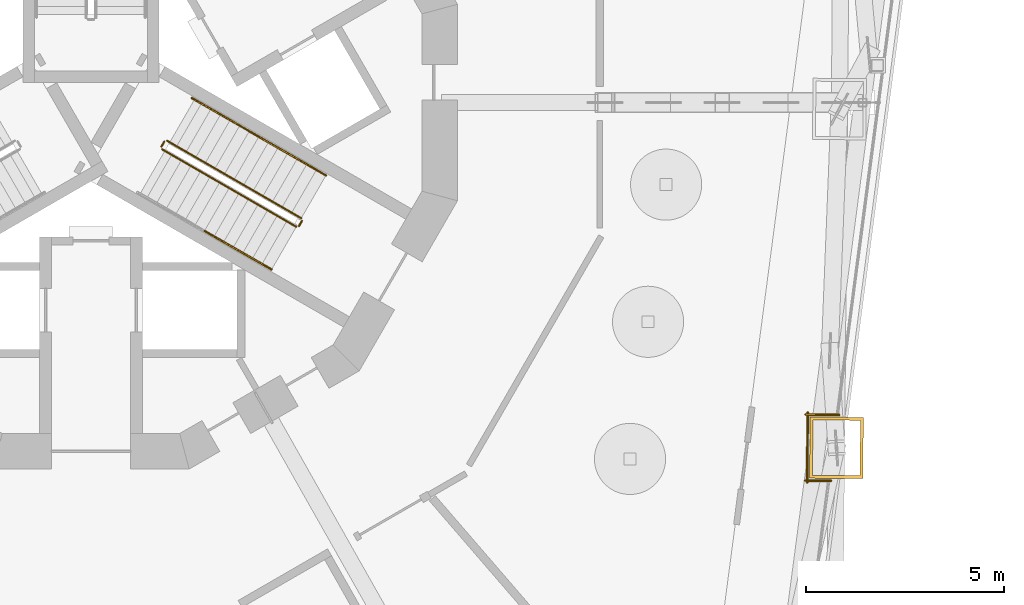
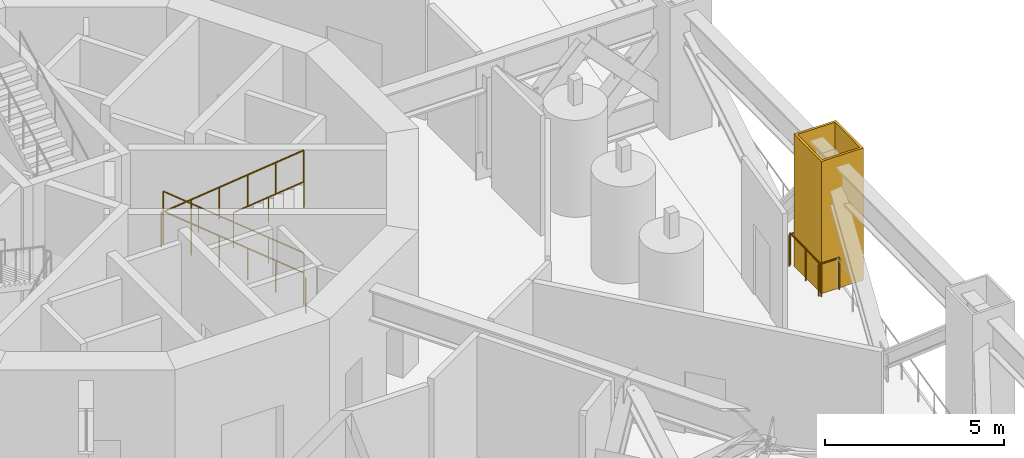
# One storey, part 19 of 23: 10 railings, 1 covering.
"""IFC4 building model written with IfcOpenShell, lengths in metres."""

from ifc_helpers import new_model, si_unit, direction, frame, origin, origin_2d, place, context, subcontext, project, spatial, polyline, circle, outline, extrude, material, layer, layer_set, type_object, element, save


model = new_model("IFC4")

# Units and contexts
model_context = context("Model", 3, precision=1e-05, world=origin(), true_north=direction((0.0, 1.0)))
body_context = subcontext(model_context, "Body", "Model", "MODEL_VIEW")
ifc_project = project(units=[si_unit("LENGTHUNIT", "METRE"), si_unit("AREAUNIT", "SQUARE_METRE"), si_unit("VOLUMEUNIT", "CUBIC_METRE"), si_unit("PLANEANGLEUNIT", "RADIAN"), si_unit("MASSUNIT", "GRAM", prefix="KILO")], contexts=[model_context])

# Site, building, storey
site_placement = place(None, origin())
site = spatial("IfcSite", under=ifc_project, at=site_placement, CompositionType="ELEMENT")
building_placement = place(site_placement, origin())
building = spatial("IfcBuilding", under=site, at=building_placement, Name="Trine Commons Tower", CompositionType="ELEMENT")
storey_placement = place(building_placement, frame((0.0, 0.0, 156.60009765625)))
storey = spatial("IfcBuildingStorey", under=building, at=storey_placement, Name="L40", CompositionType="ELEMENT", Elevation=156.60009765625)

# Covering
ifc_material_1 = material(Name="Limestone, honed", Category="masonry")
ifc_layer = layer(ifc_material_1, 0.074951171875)
ifc_layer_set = layer_set([ifc_layer], Name="Limestone, honed")
covering_type = type_object("IfcCoveringType", Name="Limestone column cladding 75", PredefinedType="CLADDING", material=ifc_layer_set)
covering_placement = place(storey_placement, origin())
element("IfcCovering", 1, at=covering_placement, inside=storey, type_object=covering_type, Name="Limestone pier cladding 5-19", PredefinedType="CLADDING", context=body_context, shape_type="SweptSolid", body=[
    extrude(outline(polyline([(99.543701171875, 54.53369140625), (98.19384765625, 54.54541015625), (98.180419921875, 52.995361328125), (99.5302734375, 52.983642578125), (99.543701171875, 54.53369140625)]), holes=[polyline([(99.468017578125, 54.459228515625), (98.26806640625, 54.4697265625), (98.255859375, 53.06982421875), (99.455810546875, 53.059326171875), (99.468017578125, 54.459228515625)])]), origin(), (0.0, 0.0, 1.0), 4.5),
])

# Railings
ifc_material_2 = material(Name="Stainless steel rail and posts", Category="steel")
railing_type_1 = type_object("IfcRailingType", Name="Slot edge guard 1100", PredefinedType="GUARDRAIL", material=ifc_material_2)
railing_1_placement = place(storey_placement, frame((98.9287109375, 54.598876953125, 0.0)))
element("IfcRailing", 2, at=railing_1_placement, inside=storey, type_object=railing_type_1, Name="Guard L40-45", PredefinedType="GUARDRAIL", context=body_context, shape_type="SweptSolid", body=[
    extrude(circle(Radius=0.02392578125, at=origin_2d()), frame((0.0, 0.0, 1.076171875), z_axis=(-0.999962456572, 0.008665185932, 0.0), x_axis=(-0.008665185932, -0.999962456572, 0.0)), (0.0, 0.0, 1.0), 0.84521484375),
    extrude(circle(Radius=0.02099609375, at=origin_2d()), origin(), (0.0, 0.0, 1.0), 1.052001953125),
    extrude(circle(Radius=0.02099609375, at=origin_2d()), frame((-0.84521484375, 0.00732421875, 0.0)), (0.0, 0.0, 1.0), 1.052001953125),
])
railing_2_placement = place(storey_placement, frame((98.134765625, 54.65625, 0.0)))
element("IfcRailing", 3, at=railing_2_placement, inside=storey, type_object=railing_type_1, Name="Guard L40-46", PredefinedType="GUARDRAIL", context=body_context, shape_type="SweptSolid", body=[
    extrude(circle(Radius=0.02392578125, at=origin_2d()), frame((0.0, 0.0, 1.076171875), z_axis=(-0.008683339055, -0.999962299101, 0.0), x_axis=(0.999962299101, -0.008683339055, 0.0)), (0.0, 0.0, 1.0), 1.771240234375),
    extrude(circle(Radius=0.02099609375, at=origin_2d()), origin(), (0.0, 0.0, 1.0), 1.052001953125),
    extrude(circle(Radius=0.02099609375, at=origin_2d()), frame((-0.0078125, -0.8857421875, 0.0)), (0.0, 0.0, 1.0), 1.052001953125),
    extrude(circle(Radius=0.02099609375, at=origin_2d()), frame((-0.015380859375, -1.771240234375, 0.0)), (0.0, 0.0, 1.0), 1.052001953125),
])
railing_3_placement = place(storey_placement, frame((98.069091796875, 52.936279296875, 0.0)))
element("IfcRailing", 4, at=railing_3_placement, inside=storey, type_object=railing_type_1, Name="Guard L40-47", PredefinedType="GUARDRAIL", context=body_context, shape_type="SweptSolid", body=[
    extrude(circle(Radius=0.02392578125, at=origin_2d()), frame((0.0, 0.0, 1.076171875), z_axis=(0.999962982793, -0.008604245643, 0.0), x_axis=(0.008604245643, 0.999962982793, 0.0)), (0.0, 0.0, 1.0), 0.652587890625),
    extrude(circle(Radius=0.02099609375, at=origin_2d()), origin(), (0.0, 0.0, 1.0), 1.052001953125),
    extrude(circle(Radius=0.02099609375, at=origin_2d()), frame((0.652587890625, -0.005615234375, 0.0)), (0.0, 0.0, 1.0), 1.052001953125),
])
ifc_material_3 = material(Name="Stainless steel balustrade", Category="steel")
railing_type_2 = type_object("IfcRailingType", Name="Stair guard, steel balustrade 1100", PredefinedType="GUARDRAIL", material=ifc_material_3)
railing_4_placement = place(storey_placement, frame((85.31982421875, 59.572998046875, 0.14990234375)))
element("IfcRailing", 5, at=railing_4_placement, inside=storey, type_object=railing_type_2, Name="L40 ST3B stair guard 1", PredefinedType="GUARDRAIL", context=body_context, shape_type="SweptSolid", body=[
    extrude(circle(Radius=0.02392578125, at=origin_2d()), frame((0.0, 0.0, 1.076171875), z_axis=(-0.763374939589, 0.440731680332, 0.472243885677), x_axis=(-0.499997407846, -0.86602690036, 0.0)), (0.0, 0.0, 1.0), 4.447021484375),
    extrude(circle(Radius=0.02099609375, at=origin_2d()), origin(), (0.0, 0.0, 1.0), 1.052001953125),
    extrude(circle(Radius=0.02099609375, at=origin_2d()), frame((-0.678955078125, 0.39208984375, 0.419921875)), (0.0, 0.0, 1.0), 1.052001953125),
    extrude(circle(Radius=0.02099609375, at=origin_2d()), frame((-1.35791015625, 0.783935546875, 0.840087890625)), (0.0, 0.0, 1.0), 1.052001953125),
    extrude(circle(Radius=0.02099609375, at=origin_2d()), frame((-2.036865234375, 1.176025390625, 1.260009765625)), (0.0, 0.0, 1.0), 1.052001953125),
    extrude(circle(Radius=0.02099609375, at=origin_2d()), frame((-2.7158203125, 1.56787109375, 1.68017578125)), (0.0, 0.0, 1.0), 1.052001953125),
    extrude(circle(Radius=0.02099609375, at=origin_2d()), frame((-3.394775390625, 1.9599609375, 2.10009765625)), (0.0, 0.0, 1.0), 1.052001953125),
])
railing_5_placement = place(storey_placement, frame((81.856689453125, 61.5146484375, 2.25)))
element("IfcRailing", 6, at=railing_5_placement, inside=storey, type_object=railing_type_2, Name="L40 ST3B stair guard 2", PredefinedType="GUARDRAIL", context=body_context, shape_type="SweptSolid", body=[
    extrude(circle(Radius=0.02392578125, at=origin_2d()), frame((0.0, 0.0, 1.076171875), z_axis=(-0.499816412211, -0.866131372301, 0.0), x_axis=(0.866131372301, -0.499816412211, 0.0)), (0.0, 0.0, 1.0), 0.14990234375),
    extrude(circle(Radius=0.02099609375, at=origin_2d()), origin(), (0.0, 0.0, 1.0), 1.052001953125),
    extrude(circle(Radius=0.02099609375, at=origin_2d()), frame((-0.074951171875, -0.1298828125, 0.0)), (0.0, 0.0, 1.0), 1.052001953125),
])
railing_6_placement = place(storey_placement, frame((81.800048828125, 61.31640625, 2.39990234375)))
element("IfcRailing", 7, at=railing_6_placement, inside=storey, type_object=railing_type_2, Name="L40 ST3B stair guard 3", PredefinedType="GUARDRAIL", context=body_context, shape_type="SweptSolid", body=[
    extrude(circle(Radius=0.02392578125, at=origin_2d()), frame((0.0, 0.0, 1.076171875), z_axis=(0.763374939589, -0.440731680332, 0.472243885677), x_axis=(0.499997407846, 0.86602690036, 0.0)), (0.0, 0.0, 1.0), 4.447021484375),
    extrude(circle(Radius=0.02099609375, at=origin_2d()), origin(), (0.0, 0.0, 1.0), 1.052001953125),
    extrude(circle(Radius=0.02099609375, at=origin_2d()), frame((0.678955078125, -0.39208984375, 0.419921875)), (0.0, 0.0, 1.0), 1.052001953125),
    extrude(circle(Radius=0.02099609375, at=origin_2d()), frame((1.35791015625, -0.783935546875, 0.840087890625)), (0.0, 0.0, 1.0), 1.052001953125),
    extrude(circle(Radius=0.02099609375, at=origin_2d()), frame((2.036865234375, -1.176025390625, 1.260009765625)), (0.0, 0.0, 1.0), 1.052001953125),
    extrude(circle(Radius=0.02099609375, at=origin_2d()), frame((2.7158203125, -1.56787109375, 1.68017578125)), (0.0, 0.0, 1.0), 1.052001953125),
    extrude(circle(Radius=0.02099609375, at=origin_2d()), frame((3.394775390625, -1.9599609375, 2.10009765625)), (0.0, 0.0, 1.0), 1.052001953125),
])
railing_7_placement = place(storey_placement, frame((85.338134765625, 59.504638671875, 0.0)))
element("IfcRailing", 8, at=railing_7_placement, inside=storey, type_object=railing_type_2, Name="L40 ST3B stair guard 4", PredefinedType="GUARDRAIL", context=body_context, shape_type="SweptSolid", body=[
    extrude(circle(Radius=0.02392578125, at=origin_2d()), frame((0.0, 0.0, 1.076171875), z_axis=(-0.499816412211, -0.866131372301, 0.0), x_axis=(0.866131372301, -0.499816412211, 0.0)), (0.0, 0.0, 1.0), 0.14990234375),
    extrude(circle(Radius=0.02099609375, at=origin_2d()), origin(), (0.0, 0.0, 1.0), 1.052001953125),
    extrude(circle(Radius=0.02099609375, at=origin_2d()), frame((-0.074951171875, -0.1298828125, 0.0)), (0.0, 0.0, 1.0), 1.052001953125),
])
ifc_material_4 = material(Name="Stainless steel handrail", Category="steel")
railing_type_3 = type_object("IfcRailingType", Name="Stair handrail, steel 900", PredefinedType="HANDRAIL", material=ifc_material_4)
railing_8_placement = place(storey_placement, frame((85.94482421875, 60.655517578125, 0.14990234375)))
element("IfcRailing", 9, at=railing_8_placement, inside=storey, type_object=railing_type_3, Name="L40 ST3B stair handrail 1", PredefinedType="HANDRAIL", context=body_context, shape_type="SweptSolid", body=[
    extrude(circle(Radius=0.02099609375, at=origin_2d()), frame((0.0, 0.0, 0.87890625), z_axis=(-0.763397845365, 0.440713210311, 0.472224095054), x_axis=(-0.499970440388, -0.866042469362, 0.0)), (0.0, 0.0, 1.0), 2.2236328125),
    extrude(circle(Radius=0.01513671875, at=origin_2d()), origin(), (0.0, 0.0, 1.0), 0.85791015625),
    extrude(circle(Radius=0.01513671875, at=origin_2d()), frame((-0.8486328125, 0.489990234375, 0.52490234375)), (0.0, 0.0, 1.0), 0.85791015625),
    extrude(circle(Radius=0.01513671875, at=origin_2d()), frame((-1.697509765625, 0.97998046875, 1.050048828125)), (0.0, 0.0, 1.0), 0.85791015625),
])
railing_9_placement = place(storey_placement, frame((84.247314453125, 61.635498046875, 1.199951171875)))
element("IfcRailing", 10, at=railing_9_placement, inside=storey, type_object=railing_type_3, Name="L40 ST3B stair handrail 2", PredefinedType="HANDRAIL", context=body_context, shape_type="SweptSolid", body=[
    extrude(circle(Radius=0.02099609375, at=origin_2d()), frame((0.0, 0.0, 0.87890625), z_axis=(-0.763352030933, 0.440750151347, 0.472263677365), x_axis=(-0.500024377727, -0.866011328839, 0.0)), (0.0, 0.0, 1.0), 2.223388671875),
    extrude(circle(Radius=0.01513671875, at=origin_2d()), origin(), (0.0, 0.0, 1.0), 0.85791015625),
    extrude(circle(Radius=0.01513671875, at=origin_2d()), frame((-0.8486328125, 0.489990234375, 0.52490234375)), (0.0, 0.0, 1.0), 0.85791015625),
    extrude(circle(Radius=0.01513671875, at=origin_2d()), frame((-1.697265625, 0.97998046875, 1.050048828125)), (0.0, 0.0, 1.0), 0.85791015625),
])
railing_10_placement = place(storey_placement, frame((82.872314453125, 59.25390625, 3.449951171875)))
element("IfcRailing", 11, at=railing_10_placement, inside=storey, type_object=railing_type_3, Name="L40 ST3B stair handrail 4", PredefinedType="HANDRAIL", context=body_context, shape_type="SweptSolid", body=[
    extrude(circle(Radius=0.02099609375, at=origin_2d()), frame((0.0, 0.0, 0.87890625), z_axis=(0.763397845365, -0.440713210311, 0.472224095054), x_axis=(0.499970440388, 0.866042469362, 0.0)), (0.0, 0.0, 1.0), 2.2236328125),
    extrude(circle(Radius=0.01513671875, at=origin_2d()), origin(), (0.0, 0.0, 1.0), 0.85791015625),
    extrude(circle(Radius=0.01513671875, at=origin_2d()), frame((0.8486328125, -0.489990234375, 0.52490234375)), (0.0, 0.0, 1.0), 0.85791015625),
    extrude(circle(Radius=0.01513671875, at=origin_2d()), frame((1.697509765625, -0.97998046875, 1.050048828125)), (0.0, 0.0, 1.0), 0.85791015625),
])

save(model, "model.ifc")
